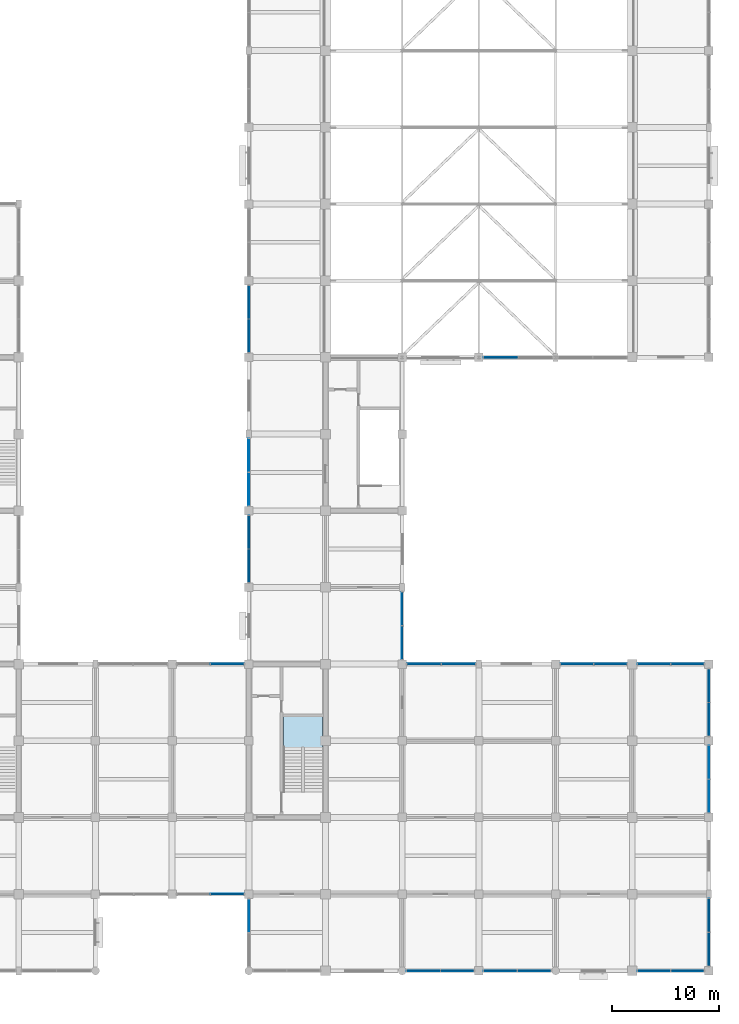
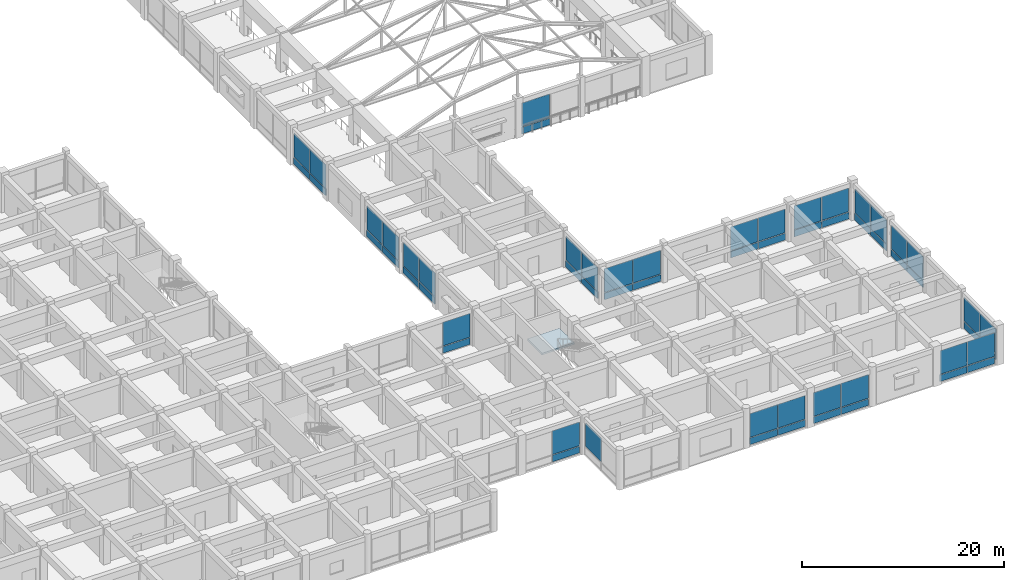
# One storey, part 51 of 75: 59 plates, 1 slab, 18 elements without a shape of their own.
"""IFC4 building model written with IfcOpenShell, lengths in metres."""

from ifc_helpers import new_model, si_unit, direction, frame, origin, origin_2d, place, context, subcontext, project, spatial, polyline, rectangle, outline, extrude, material, layer, layer_set, type_object, element, aggregate, save


model = new_model("IFC4")

# Units and contexts
model_context = context("Model", 3, precision=1e-05, world=origin(), true_north=direction((0.0, 1.0)))
body_context = subcontext(model_context, "Body", "Model", "MODEL_VIEW")
ifc_project = project(units=[si_unit("LENGTHUNIT", "METRE"), si_unit("AREAUNIT", "SQUARE_METRE"), si_unit("VOLUMEUNIT", "CUBIC_METRE"), si_unit("PLANEANGLEUNIT", "RADIAN"), si_unit("MASSUNIT", "GRAM", prefix="KILO")], contexts=[model_context])

# Site, building, storey
site_placement = place(None, origin())
site = spatial("IfcSite", under=ifc_project, at=site_placement, CompositionType="ELEMENT")
building_placement = place(site_placement, origin())
building = spatial("IfcBuilding", under=site, at=building_placement, Name="Cendaluz Park School", CompositionType="ELEMENT")
storey_placement = place(building_placement, frame((0.0, 0.0, 4.800048828125)))
storey = spatial("IfcBuildingStorey", under=building, at=storey_placement, Name="L01", CompositionType="ELEMENT", Elevation=4.800048828125)

# Curtain wall, plate
ifc_material_1 = material(Name="Anodised Aluminium 6063-T6", Category="aluminium")
ifc_layer_1 = layer(ifc_material_1, 0.179931640625)
ifc_layer_set_1 = layer_set([ifc_layer_1], Name="Anodised Aluminium 6063-T6")
curtain_wall_type_1 = type_object("IfcCurtainWallType", Name="CW-128x77", PredefinedType="NOTDEFINED", material=ifc_layer_set_1)
curtain_wall_1_placement = place(storey_placement, origin())
curtain_wall_1 = element("IfcCurtainWall", 1, at=curtain_wall_1_placement, inside=storey, type_object=curtain_wall_type_1, Name="CW-L01-059", PredefinedType="NOTDEFINED")
ifc_material_2 = material(Name="Tempered Low-E Double Glazing", Category="glass")
ifc_layer_2 = layer(ifc_material_2, 0.028076171875)
ifc_layer_set_2 = layer_set([ifc_layer_2], Name="Tempered Low-E Double Glazing")
plate_type_1 = type_object("IfcPlateType", Name="CWP-G01", PredefinedType="CURTAIN_PANEL", material=ifc_layer_set_2)
plate_1_placement = place(storey_placement, frame((129.60009765625, 5.17626953125, 0.93505859375), z_axis=(0.0, 0.0, 1.0), x_axis=(0.0, 1.0, 0.0)))
plate_1 = element("IfcPlate", 2, at=plate_1_placement, type_object=plate_type_1, Name="CP-L01-0767", PredefinedType="CURTAIN_PANEL", context=body_context, shape_type="SweptSolid", body=[
    extrude(rectangle(XDim=3.107421875, YDim=0.028076171875, at=origin_2d()), origin(), (0.0, 0.0, 1.0), 2.844970703125),
])
aggregate(curtain_wall_1, [plate_1])

# Curtain wall, plates
curtain_wall_2_placement = place(storey_placement, origin())
curtain_wall_2 = element("IfcCurtainWall", 3, at=curtain_wall_2_placement, inside=storey, type_object=curtain_wall_type_1, Name="CW-L01-060", PredefinedType="NOTDEFINED")
plate_2_placement = place(storey_placement, frame((129.60009765625, 38.017578125, 0.93505859375), z_axis=(0.0, 0.0, 1.0), x_axis=(0.0, 1.0, 0.0)))
plate_2 = element("IfcPlate", 4, at=plate_2_placement, type_object=plate_type_1, Name="CP-L01-0775", PredefinedType="CURTAIN_PANEL", context=body_context, shape_type="SweptSolid", body=[
    extrude(rectangle(XDim=3.094970703125, YDim=0.028076171875, at=origin_2d()), origin(), (0.0, 0.0, 1.0), 2.844970703125),
])
plate_3_placement = place(storey_placement, frame((129.60009765625, 41.1826171875, 0.93505859375), z_axis=(0.0, 0.0, 1.0), x_axis=(0.0, 1.0, 0.0)))
plate_3 = element("IfcPlate", 5, at=plate_3_placement, type_object=plate_type_1, Name="CP-L01-0780", PredefinedType="CURTAIN_PANEL", context=body_context, shape_type="SweptSolid", body=[
    extrude(rectangle(XDim=3.094970703125, YDim=0.028076171875, at=origin_2d()), origin(), (0.0, 0.0, 1.0), 2.844970703125),
])

curtain_wall_3_placement = place(storey_placement, origin())
curtain_wall_3 = element("IfcCurtainWall", 6, at=curtain_wall_3_placement, inside=storey, type_object=curtain_wall_type_1, Name="CW-L01-061", PredefinedType="NOTDEFINED")
plate_4_placement = place(storey_placement, frame((129.60009765625, 45.2236328125, 0.93505859375), z_axis=(0.0, 0.0, 1.0), x_axis=(0.0, 1.0, 0.0)))
plate_4 = element("IfcPlate", 7, at=plate_4_placement, type_object=plate_type_1, Name="CP-L01-0788", PredefinedType="CURTAIN_PANEL", context=body_context, shape_type="SweptSolid", body=[
    extrude(rectangle(XDim=3.107421875, YDim=0.028076171875, at=origin_2d()), origin(), (0.0, 0.0, 1.0), 2.844970703125),
])
plate_5_placement = place(storey_placement, frame((129.60009765625, 48.4013671875, 0.93505859375), z_axis=(0.0, 0.0, 1.0), x_axis=(0.0, 1.0, 0.0)))
plate_5 = element("IfcPlate", 8, at=plate_5_placement, type_object=plate_type_1, Name="CP-L01-0793", PredefinedType="CURTAIN_PANEL", context=body_context, shape_type="SweptSolid", body=[
    extrude(rectangle(XDim=3.107421875, YDim=0.028076171875, at=origin_2d()), origin(), (0.0, 0.0, 1.0), 2.844970703125),
])

curtain_wall_4_placement = place(storey_placement, origin())
curtain_wall_4 = element("IfcCurtainWall", 9, at=curtain_wall_4_placement, inside=storey, type_object=curtain_wall_type_1, Name="CW-L01-062", PredefinedType="NOTDEFINED")
plate_6_placement = place(storey_placement, frame((129.60009765625, 59.617431640625, 0.93505859375), z_axis=(0.0, 0.0, 1.0), x_axis=(0.0, 1.0, 0.0)))
plate_6 = element("IfcPlate", 10, at=plate_6_placement, type_object=plate_type_1, Name="CP-L01-0801", PredefinedType="CURTAIN_PANEL", context=body_context, shape_type="SweptSolid", body=[
    extrude(rectangle(XDim=3.094970703125, YDim=0.028076171875, at=origin_2d()), origin(), (0.0, 0.0, 1.0), 2.844970703125),
])
plate_7_placement = place(storey_placement, frame((129.60009765625, 62.782470703125, 0.93505859375), z_axis=(0.0, 0.0, 1.0), x_axis=(0.0, 1.0, 0.0)))
plate_7 = element("IfcPlate", 11, at=plate_7_placement, type_object=plate_type_1, Name="CP-L01-0806", PredefinedType="CURTAIN_PANEL", context=body_context, shape_type="SweptSolid", body=[
    extrude(rectangle(XDim=3.094970703125, YDim=0.028076171875, at=origin_2d()), origin(), (0.0, 0.0, 1.0), 2.844970703125),
])

ifc_layer_3 = layer(ifc_material_1, 0.179931640625)
ifc_layer_set_3 = layer_set([ifc_layer_3], Name="Anodised Aluminium 6063-T6")
curtain_wall_type_2 = type_object("IfcCurtainWallType", Name="CW-127x77", PredefinedType="NOTDEFINED", material=ifc_layer_set_3)
curtain_wall_5_placement = place(storey_placement, origin())
curtain_wall_5 = element("IfcCurtainWall", 12, at=curtain_wall_5_placement, inside=storey, type_object=curtain_wall_type_2, Name="CW-L01-075", PredefinedType="NOTDEFINED")
plate_8_placement = place(storey_placement, frame((160.405029296875, 28.800048828125, 0.93505859375), z_axis=(0.0, 0.0, 1.0), x_axis=(1.0, 0.0, 0.0)))
plate_8 = element("IfcPlate", 13, at=plate_8_placement, type_object=plate_type_1, Name="CP-L01-0970", PredefinedType="CURTAIN_PANEL", context=body_context, shape_type="SweptSolid", body=[
    extrude(rectangle(XDim=3.070068359375, YDim=0.028076171875, at=origin_2d()), origin(), (0.0, 0.0, 1.0), 2.844970703125),
])
plate_9_placement = place(storey_placement, frame((163.544921875, 28.800048828125, 0.93505859375), z_axis=(0.0, 0.0, 1.0), x_axis=(1.0, 0.0, 0.0)))
plate_9 = element("IfcPlate", 14, at=plate_9_placement, type_object=plate_type_1, Name="CP-L01-0975", PredefinedType="CURTAIN_PANEL", context=body_context, shape_type="SweptSolid", body=[
    extrude(rectangle(XDim=3.070068359375, YDim=0.028076171875, at=origin_2d()), origin(), (0.0, 0.0, 1.0), 2.844970703125),
])

curtain_wall_6_placement = place(storey_placement, origin())
curtain_wall_6 = element("IfcCurtainWall", 15, at=curtain_wall_6_placement, inside=storey, type_object=curtain_wall_type_2, Name="CW-L01-078", PredefinedType="NOTDEFINED")
ifc_layer_4 = layer(ifc_material_2, 0.0380859375)
ifc_layer_set_4 = layer_set([ifc_layer_4], Name="Tempered Low-E Double Glazing")
plate_type_2 = type_object("IfcPlateType", Name="CWP-G02", PredefinedType="CURTAIN_PANEL", material=ifc_layer_set_4)
plate_10_placement = place(storey_placement, frame((167.655029296875, 0.0, 0.93505859375), z_axis=(0.0, 0.0, 1.0), x_axis=(1.0, 0.0, 0.0)))
plate_10 = element("IfcPlate", 16, at=plate_10_placement, type_object=plate_type_2, Name="CP-L01-1009", PredefinedType="CURTAIN_PANEL", context=body_context, shape_type="SweptSolid", body=[
    extrude(rectangle(XDim=3.070068359375, YDim=0.0380859375, at=origin_2d()), origin(), (0.0, 0.0, 1.0), 2.844970703125),
])
plate_11_placement = place(storey_placement, frame((170.794921875, 0.0, 0.93505859375), z_axis=(0.0, 0.0, 1.0), x_axis=(1.0, 0.0, 0.0)))
plate_11 = element("IfcPlate", 17, at=plate_11_placement, type_object=plate_type_2, Name="CP-L01-1014", PredefinedType="CURTAIN_PANEL", context=body_context, shape_type="SweptSolid", body=[
    extrude(rectangle(XDim=3.070068359375, YDim=0.0380859375, at=origin_2d()), origin(), (0.0, 0.0, 1.0), 2.844970703125),
])

curtain_wall_7_placement = place(storey_placement, origin())
curtain_wall_7 = element("IfcCurtainWall", 18, at=curtain_wall_7_placement, inside=storey, type_object=curtain_wall_type_2, Name="CW-L01-081", PredefinedType="NOTDEFINED")
plate_12_placement = place(storey_placement, frame((167.655029296875, 28.800048828125, 0.93505859375), z_axis=(0.0, 0.0, 1.0), x_axis=(1.0, 0.0, 0.0)))
plate_12 = element("IfcPlate", 19, at=plate_12_placement, type_object=plate_type_2, Name="CP-L01-1048", PredefinedType="CURTAIN_PANEL", context=body_context, shape_type="SweptSolid", body=[
    extrude(rectangle(XDim=3.070068359375, YDim=0.0380859375, at=origin_2d()), origin(), (0.0, 0.0, 1.0), 2.844970703125),
])
plate_13_placement = place(storey_placement, frame((170.794921875, 28.800048828125, 0.93505859375), z_axis=(0.0, 0.0, 1.0), x_axis=(1.0, 0.0, 0.0)))
plate_13 = element("IfcPlate", 20, at=plate_13_placement, type_object=plate_type_2, Name="CP-L01-1053", PredefinedType="CURTAIN_PANEL", context=body_context, shape_type="SweptSolid", body=[
    extrude(rectangle(XDim=3.070068359375, YDim=0.0380859375, at=origin_2d()), origin(), (0.0, 0.0, 1.0), 2.844970703125),
])

curtain_wall_8_placement = place(storey_placement, origin())
curtain_wall_8 = element("IfcCurtainWall", 21, at=curtain_wall_8_placement, inside=storey, type_object=curtain_wall_type_1, Name="CW-L01-068", PredefinedType="NOTDEFINED")
ifc_layer_5 = layer(ifc_material_2, 0.048095703125)
ifc_layer_set_5 = layer_set([ifc_layer_5], Name="Tempered Low-E Double Glazing")
plate_type_3 = type_object("IfcPlateType", Name="CWP-G03", PredefinedType="CURTAIN_PANEL", material=ifc_layer_set_5)
plate_14_placement = place(storey_placement, frame((144.0, 30.82373046875, 0.93505859375), z_axis=(0.0, 0.0, 1.0), x_axis=(0.0, 1.0, 0.0)))
plate_14 = element("IfcPlate", 22, at=plate_14_placement, type_object=plate_type_3, Name="CP-L01-0879", PredefinedType="CURTAIN_PANEL", context=body_context, shape_type="SweptSolid", body=[
    extrude(rectangle(XDim=3.107421875, YDim=0.048095703125, at=origin_2d()), origin(), (0.0, 0.0, 1.0), 2.844970703125),
])
plate_15_placement = place(storey_placement, frame((144.0, 34.001220703125, 0.93505859375), z_axis=(0.0, 0.0, 1.0), x_axis=(0.0, 1.0, 0.0)))
plate_15 = element("IfcPlate", 23, at=plate_15_placement, type_object=plate_type_3, Name="CP-L01-0884", PredefinedType="CURTAIN_PANEL", context=body_context, shape_type="SweptSolid", body=[
    extrude(rectangle(XDim=3.107421875, YDim=0.048095703125, at=origin_2d()), origin(), (0.0, 0.0, 1.0), 2.844970703125),
])

curtain_wall_9_placement = place(storey_placement, origin())
curtain_wall_9 = element("IfcCurtainWall", 24, at=curtain_wall_9_placement, inside=storey, type_object=curtain_wall_type_1, Name="CW-L01-070", PredefinedType="NOTDEFINED")
plate_16_placement = place(storey_placement, frame((145.998779296875, 0.0, 0.93505859375), z_axis=(0.0, 0.0, 1.0), x_axis=(1.0, 0.0, 0.0)))
plate_16 = element("IfcPlate", 25, at=plate_16_placement, type_object=plate_type_3, Name="CP-L01-0905", PredefinedType="CURTAIN_PANEL", context=body_context, shape_type="SweptSolid", body=[
    extrude(rectangle(XDim=3.107421875, YDim=0.048095703125, at=origin_2d()), origin(), (0.0, 0.0, 1.0), 2.844970703125),
])
plate_17_placement = place(storey_placement, frame((149.17626953125, 0.0, 0.93505859375), z_axis=(0.0, 0.0, 1.0), x_axis=(1.0, 0.0, 0.0)))
plate_17 = element("IfcPlate", 26, at=plate_17_placement, type_object=plate_type_3, Name="CP-L01-0910", PredefinedType="CURTAIN_PANEL", context=body_context, shape_type="SweptSolid", body=[
    extrude(rectangle(XDim=3.107421875, YDim=0.048095703125, at=origin_2d()), origin(), (0.0, 0.0, 1.0), 2.844970703125),
])

ifc_layer_6 = layer(ifc_material_1, 0.179931640625)
ifc_layer_set_6 = layer_set([ifc_layer_6], Name="Anodised Aluminium 6063-T6")
curtain_wall_type_3 = type_object("IfcCurtainWallType", Name="CW-131x77", PredefinedType="NOTDEFINED", material=ifc_layer_set_6)
curtain_wall_10_placement = place(storey_placement, origin())
curtain_wall_10 = element("IfcCurtainWall", 27, at=curtain_wall_10_placement, inside=storey, type_object=curtain_wall_type_3, Name="CW-L01-071", PredefinedType="NOTDEFINED")
plate_18_placement = place(storey_placement, frame((146.054931640625, 28.800048828125, 0.93505859375), z_axis=(0.0, 0.0, 1.0), x_axis=(1.0, 0.0, 0.0)))
plate_18 = element("IfcPlate", 28, at=plate_18_placement, type_object=plate_type_3, Name="CP-L01-0918", PredefinedType="CURTAIN_PANEL", context=body_context, shape_type="SweptSolid", body=[
    extrude(rectangle(XDim=3.169921875, YDim=0.048095703125, at=origin_2d()), origin(), (0.0, 0.0, 1.0), 2.844970703125),
])
plate_19_placement = place(storey_placement, frame((149.294921875, 28.800048828125, 0.93505859375), z_axis=(0.0, 0.0, 1.0), x_axis=(1.0, 0.0, 0.0)))
plate_19 = element("IfcPlate", 29, at=plate_19_placement, type_object=plate_type_3, Name="CP-L01-0923", PredefinedType="CURTAIN_PANEL", context=body_context, shape_type="SweptSolid", body=[
    extrude(rectangle(XDim=3.169921875, YDim=0.048095703125, at=origin_2d()), origin(), (0.0, 0.0, 1.0), 2.844970703125),
])

curtain_wall_11_placement = place(storey_placement, origin())
curtain_wall_11 = element("IfcCurtainWall", 30, at=curtain_wall_11_placement, inside=storey, type_object=curtain_wall_type_1, Name="CW-L01-079", PredefinedType="NOTDEFINED")
plate_20_placement = place(storey_placement, frame((172.800048828125, 2.023681640625, 0.93505859375), z_axis=(0.0, 0.0, 1.0), x_axis=(0.0, 1.0, 0.0)))
plate_20 = element("IfcPlate", 31, at=plate_20_placement, type_object=plate_type_3, Name="CP-L01-1022", PredefinedType="CURTAIN_PANEL", context=body_context, shape_type="SweptSolid", body=[
    extrude(rectangle(XDim=3.107421875, YDim=0.048095703125, at=origin_2d()), origin(), (0.0, 0.0, 1.0), 2.844970703125),
])
plate_21_placement = place(storey_placement, frame((172.800048828125, 5.201171875, 0.93505859375), z_axis=(0.0, 0.0, 1.0), x_axis=(0.0, 1.0, 0.0)))
plate_21 = element("IfcPlate", 32, at=plate_21_placement, type_object=plate_type_3, Name="CP-L01-1027", PredefinedType="CURTAIN_PANEL", context=body_context, shape_type="SweptSolid", body=[
    extrude(rectangle(XDim=3.107421875, YDim=0.048095703125, at=origin_2d()), origin(), (0.0, 0.0, 1.0), 2.844970703125),
])

curtain_wall_12_placement = place(storey_placement, origin())
curtain_wall_12 = element("IfcCurtainWall", 33, at=curtain_wall_12_placement, inside=storey, type_object=curtain_wall_type_1, Name="CW-L01-080", PredefinedType="NOTDEFINED")
plate_22_placement = place(storey_placement, frame((172.800048828125, 16.41748046875, 0.93505859375), z_axis=(0.0, 0.0, 1.0), x_axis=(0.0, 1.0, 0.0)))
plate_22 = element("IfcPlate", 34, at=plate_22_placement, type_object=plate_type_3, Name="CP-L01-1035", PredefinedType="CURTAIN_PANEL", context=body_context, shape_type="SweptSolid", body=[
    extrude(rectangle(XDim=3.094970703125, YDim=0.048095703125, at=origin_2d()), origin(), (0.0, 0.0, 1.0), 2.844970703125),
])
plate_23_placement = place(storey_placement, frame((172.800048828125, 19.58251953125, 0.93505859375), z_axis=(0.0, 0.0, 1.0), x_axis=(0.0, 1.0, 0.0)))
plate_23 = element("IfcPlate", 35, at=plate_23_placement, type_object=plate_type_3, Name="CP-L01-1040", PredefinedType="CURTAIN_PANEL", context=body_context, shape_type="SweptSolid", body=[
    extrude(rectangle(XDim=3.094970703125, YDim=0.048095703125, at=origin_2d()), origin(), (0.0, 0.0, 1.0), 2.844970703125),
])

curtain_wall_13_placement = place(storey_placement, origin())
curtain_wall_13 = element("IfcCurtainWall", 36, at=curtain_wall_13_placement, inside=storey, type_object=curtain_wall_type_1, Name="CW-L01-082", PredefinedType="NOTDEFINED")
plate_24_placement = place(storey_placement, frame((172.800048828125, 23.617431640625, 0.93505859375), z_axis=(0.0, 0.0, 1.0), x_axis=(0.0, 1.0, 0.0)))
plate_24 = element("IfcPlate", 37, at=plate_24_placement, type_object=plate_type_3, Name="CP-L01-1061", PredefinedType="CURTAIN_PANEL", context=body_context, shape_type="SweptSolid", body=[
    extrude(rectangle(XDim=3.094970703125, YDim=0.048095703125, at=origin_2d()), origin(), (0.0, 0.0, 1.0), 2.844970703125),
])
plate_25_placement = place(storey_placement, frame((172.800048828125, 26.782470703125, 0.93505859375), z_axis=(0.0, 0.0, 1.0), x_axis=(0.0, 1.0, 0.0)))
plate_25 = element("IfcPlate", 38, at=plate_25_placement, type_object=plate_type_3, Name="CP-L01-1066", PredefinedType="CURTAIN_PANEL", context=body_context, shape_type="SweptSolid", body=[
    extrude(rectangle(XDim=3.094970703125, YDim=0.048095703125, at=origin_2d()), origin(), (0.0, 0.0, 1.0), 2.844970703125),
])

# Curtain wall, plate
curtain_wall_14_placement = place(storey_placement, origin())
curtain_wall_14 = element("IfcCurtainWall", 39, at=curtain_wall_14_placement, inside=storey, type_object=curtain_wall_type_1, Name="CW-L01-056", PredefinedType="NOTDEFINED")
ifc_layer_7 = layer(ifc_material_2, 0.05810546875)
ifc_layer_set_7 = layer_set([ifc_layer_7], Name="Tempered Low-E Double Glazing")
plate_type_4 = type_object("IfcPlateType", Name="CWP-G04", PredefinedType="CURTAIN_PANEL", material=ifc_layer_set_7)
plate_26_placement = place(storey_placement, frame((127.58251953125, 7.199951171875, 0.93505859375), z_axis=(0.0, 0.0, 1.0), x_axis=(1.0, 0.0, 0.0)))
plate_26 = element("IfcPlate", 40, at=plate_26_placement, type_object=plate_type_4, Name="CP-L01-0728", PredefinedType="CURTAIN_PANEL", context=body_context, shape_type="SweptSolid", body=[
    extrude(rectangle(XDim=3.094970703125, YDim=0.05810546875, at=origin_2d()), origin(), (0.0, 0.0, 1.0), 2.844970703125),
])

curtain_wall_15_placement = place(storey_placement, origin())
curtain_wall_15 = element("IfcCurtainWall", 41, at=curtain_wall_15_placement, inside=storey, type_object=curtain_wall_type_1, Name="CW-L01-057", PredefinedType="NOTDEFINED")
plate_27_placement = place(storey_placement, frame((127.58251953125, 28.800048828125, 0.93505859375), z_axis=(0.0, 0.0, 1.0), x_axis=(1.0, 0.0, 0.0)))
plate_27 = element("IfcPlate", 42, at=plate_27_placement, type_object=plate_type_4, Name="CP-L01-0741", PredefinedType="CURTAIN_PANEL", context=body_context, shape_type="SweptSolid", body=[
    extrude(rectangle(XDim=3.094970703125, YDim=0.05810546875, at=origin_2d()), origin(), (0.0, 0.0, 1.0), 2.844970703125),
])

# Curtain wall, plates
curtain_wall_16_placement = place(storey_placement, origin())
curtain_wall_16 = element("IfcCurtainWall", 43, at=curtain_wall_16_placement, inside=storey, type_object=curtain_wall_type_1, Name="CW-L01-073", PredefinedType="NOTDEFINED")
plate_28_placement = place(storey_placement, frame((153.2236328125, 0.0, 0.93505859375), z_axis=(0.0, 0.0, 1.0), x_axis=(1.0, 0.0, 0.0)))
plate_28 = element("IfcPlate", 44, at=plate_28_placement, type_object=plate_type_4, Name="CP-L01-0944", PredefinedType="CURTAIN_PANEL", context=body_context, shape_type="SweptSolid", body=[
    extrude(rectangle(XDim=3.107421875, YDim=0.05810546875, at=origin_2d()), origin(), (0.0, 0.0, 1.0), 2.844970703125),
])
plate_29_placement = place(storey_placement, frame((156.4013671875, 0.0, 0.93505859375), z_axis=(0.0, 0.0, 1.0), x_axis=(1.0, 0.0, 0.0)))
plate_29 = element("IfcPlate", 45, at=plate_29_placement, type_object=plate_type_4, Name="CP-L01-0949", PredefinedType="CURTAIN_PANEL", context=body_context, shape_type="SweptSolid", body=[
    extrude(rectangle(XDim=3.107421875, YDim=0.05810546875, at=origin_2d()), origin(), (0.0, 0.0, 1.0), 2.844970703125),
])

# Curtain wall, plate
curtain_wall_17_placement = place(storey_placement, origin())
curtain_wall_17 = element("IfcCurtainWall", 46, at=curtain_wall_17_placement, inside=storey, type_object=curtain_wall_type_3, Name="CW-L01-074", PredefinedType="NOTDEFINED")
plate_30_placement = place(storey_placement, frame((153.2548828125, 57.60009765625, 0.93505859375), z_axis=(0.0, 0.0, 1.0), x_axis=(1.0, 0.0, 0.0)))
plate_30 = element("IfcPlate", 47, at=plate_30_placement, type_object=plate_type_4, Name="CP-L01-0957", PredefinedType="CURTAIN_PANEL", context=body_context, shape_type="SweptSolid", body=[
    extrude(rectangle(XDim=3.169921875, YDim=0.05810546875, at=origin_2d()), origin(), (0.0, 0.0, 1.0), 2.844970703125),
])

# Plate
ifc_layer_8 = layer(ifc_material_1, 0.080078125)
ifc_layer_set_8 = layer_set([ifc_layer_8], Name="Anodised Aluminium 6063-T6")
plate_type_5 = type_object("IfcPlateType", Name="CWP-S01", PredefinedType="CURTAIN_PANEL", material=ifc_layer_set_8)
plate_31_placement = place(storey_placement, frame((129.60009765625, 45.2236328125, 0.070068359375), z_axis=(0.0, 0.0, 1.0), x_axis=(0.0, 1.0, 0.0)))
plate_31 = element("IfcPlate", 48, at=plate_31_placement, type_object=plate_type_5, Name="CP-L01-0787", PredefinedType="CURTAIN_PANEL", context=body_context, shape_type="SweptSolid", body=[
    extrude(rectangle(XDim=3.107421875, YDim=0.080078125, at=origin_2d()), origin(), (0.0, 0.0, 1.0), 0.794921875),
])

plate_32_placement = place(storey_placement, frame((129.60009765625, 48.4013671875, 0.070068359375), z_axis=(0.0, 0.0, 1.0), x_axis=(0.0, 1.0, 0.0)))
plate_32 = element("IfcPlate", 49, at=plate_32_placement, type_object=plate_type_5, Name="CP-L01-0792", PredefinedType="CURTAIN_PANEL", context=body_context, shape_type="SweptSolid", body=[
    extrude(rectangle(XDim=3.107421875, YDim=0.080078125, at=origin_2d()), origin(), (0.0, 0.0, 1.0), 0.794921875),
])

aggregate(curtain_wall_3, [plate_31, plate_4, plate_32, plate_5])

plate_33_placement = place(storey_placement, frame((172.800048828125, 16.41748046875, 0.070068359375), z_axis=(0.0, 0.0, 1.0), x_axis=(0.0, 1.0, 0.0)))
plate_33 = element("IfcPlate", 50, at=plate_33_placement, type_object=plate_type_5, Name="CP-L01-1034", PredefinedType="CURTAIN_PANEL", context=body_context, shape_type="SweptSolid", body=[
    extrude(rectangle(XDim=3.094970703125, YDim=0.080078125, at=origin_2d()), origin(), (0.0, 0.0, 1.0), 0.794921875),
])

plate_34_placement = place(storey_placement, frame((172.800048828125, 19.58251953125, 0.070068359375), z_axis=(0.0, 0.0, 1.0), x_axis=(0.0, 1.0, 0.0)))
plate_34 = element("IfcPlate", 51, at=plate_34_placement, type_object=plate_type_5, Name="CP-L01-1039", PredefinedType="CURTAIN_PANEL", context=body_context, shape_type="SweptSolid", body=[
    extrude(rectangle(XDim=3.094970703125, YDim=0.080078125, at=origin_2d()), origin(), (0.0, 0.0, 1.0), 0.794921875),
])

aggregate(curtain_wall_12, [plate_33, plate_22, plate_34, plate_23])

ifc_layer_9 = layer(ifc_material_1, 0.094970703125)
ifc_layer_set_9 = layer_set([ifc_layer_9], Name="Anodised Aluminium 6063-T6")
plate_type_6 = type_object("IfcPlateType", Name="CWP-S02", PredefinedType="CURTAIN_PANEL", material=ifc_layer_set_9)
plate_35_placement = place(storey_placement, frame((172.800048828125, 23.617431640625, 0.070068359375), z_axis=(0.0, 0.0, 1.0), x_axis=(0.0, 1.0, 0.0)))
plate_35 = element("IfcPlate", 52, at=plate_35_placement, type_object=plate_type_6, Name="CP-L01-1060", PredefinedType="CURTAIN_PANEL", context=body_context, shape_type="SweptSolid", body=[
    extrude(rectangle(XDim=3.094970703125, YDim=0.094970703125, at=origin_2d()), origin(), (0.0, 0.0, 1.0), 0.794921875),
])

plate_36_placement = place(storey_placement, frame((172.800048828125, 26.782470703125, 0.070068359375), z_axis=(0.0, 0.0, 1.0), x_axis=(0.0, 1.0, 0.0)))
plate_36 = element("IfcPlate", 53, at=plate_36_placement, type_object=plate_type_6, Name="CP-L01-1065", PredefinedType="CURTAIN_PANEL", context=body_context, shape_type="SweptSolid", body=[
    extrude(rectangle(XDim=3.094970703125, YDim=0.094970703125, at=origin_2d()), origin(), (0.0, 0.0, 1.0), 0.794921875),
])

aggregate(curtain_wall_13, [plate_35, plate_24, plate_36, plate_25])

ifc_layer_10 = layer(ifc_material_1, 0.110107421875)
ifc_layer_set_10 = layer_set([ifc_layer_10], Name="Anodised Aluminium 6063-T6")
plate_type_7 = type_object("IfcPlateType", Name="CWP-S03", PredefinedType="CURTAIN_PANEL", material=ifc_layer_set_10)
plate_37_placement = place(storey_placement, frame((127.58251953125, 28.800048828125, 0.070068359375), z_axis=(0.0, 0.0, 1.0), x_axis=(1.0, 0.0, 0.0)))
plate_37 = element("IfcPlate", 54, at=plate_37_placement, type_object=plate_type_7, Name="CP-L01-0740", PredefinedType="CURTAIN_PANEL", context=body_context, shape_type="SweptSolid", body=[
    extrude(rectangle(XDim=3.094970703125, YDim=0.110107421875, at=origin_2d()), origin(), (0.0, 0.0, 1.0), 0.794921875),
])

aggregate(curtain_wall_15, [plate_37, plate_27])

plate_38_placement = place(storey_placement, frame((129.60009765625, 59.617431640625, 0.070068359375), z_axis=(0.0, 0.0, 1.0), x_axis=(0.0, 1.0, 0.0)))
plate_38 = element("IfcPlate", 55, at=plate_38_placement, type_object=plate_type_7, Name="CP-L01-0800", PredefinedType="CURTAIN_PANEL", context=body_context, shape_type="SweptSolid", body=[
    extrude(rectangle(XDim=3.094970703125, YDim=0.110107421875, at=origin_2d()), origin(), (0.0, 0.0, 1.0), 0.794921875),
])

plate_39_placement = place(storey_placement, frame((129.60009765625, 62.782470703125, 0.070068359375), z_axis=(0.0, 0.0, 1.0), x_axis=(0.0, 1.0, 0.0)))
plate_39 = element("IfcPlate", 56, at=plate_39_placement, type_object=plate_type_7, Name="CP-L01-0805", PredefinedType="CURTAIN_PANEL", context=body_context, shape_type="SweptSolid", body=[
    extrude(rectangle(XDim=3.094970703125, YDim=0.110107421875, at=origin_2d()), origin(), (0.0, 0.0, 1.0), 0.794921875),
])

aggregate(curtain_wall_4, [plate_38, plate_6, plate_39, plate_7])

plate_40_placement = place(storey_placement, frame((144.0, 30.82373046875, 0.070068359375), z_axis=(0.0, 0.0, 1.0), x_axis=(0.0, 1.0, 0.0)))
plate_40 = element("IfcPlate", 57, at=plate_40_placement, type_object=plate_type_7, Name="CP-L01-0878", PredefinedType="CURTAIN_PANEL", context=body_context, shape_type="SweptSolid", body=[
    extrude(rectangle(XDim=3.107421875, YDim=0.110107421875, at=origin_2d()), origin(), (0.0, 0.0, 1.0), 0.794921875),
])

plate_41_placement = place(storey_placement, frame((144.0, 34.001220703125, 0.070068359375), z_axis=(0.0, 0.0, 1.0), x_axis=(0.0, 1.0, 0.0)))
plate_41 = element("IfcPlate", 58, at=plate_41_placement, type_object=plate_type_7, Name="CP-L01-0883", PredefinedType="CURTAIN_PANEL", context=body_context, shape_type="SweptSolid", body=[
    extrude(rectangle(XDim=3.107421875, YDim=0.110107421875, at=origin_2d()), origin(), (0.0, 0.0, 1.0), 0.794921875),
])

aggregate(curtain_wall_8, [plate_40, plate_14, plate_41, plate_15])

plate_42_placement = place(storey_placement, frame((145.998779296875, 0.0, 0.070068359375), z_axis=(0.0, 0.0, 1.0), x_axis=(1.0, 0.0, 0.0)))
plate_42 = element("IfcPlate", 59, at=plate_42_placement, type_object=plate_type_7, Name="CP-L01-0904", PredefinedType="CURTAIN_PANEL", context=body_context, shape_type="SweptSolid", body=[
    extrude(rectangle(XDim=3.107421875, YDim=0.110107421875, at=origin_2d()), origin(), (0.0, 0.0, 1.0), 0.794921875),
])

plate_43_placement = place(storey_placement, frame((149.17626953125, 0.0, 0.070068359375), z_axis=(0.0, 0.0, 1.0), x_axis=(1.0, 0.0, 0.0)))
plate_43 = element("IfcPlate", 60, at=plate_43_placement, type_object=plate_type_7, Name="CP-L01-0909", PredefinedType="CURTAIN_PANEL", context=body_context, shape_type="SweptSolid", body=[
    extrude(rectangle(XDim=3.107421875, YDim=0.110107421875, at=origin_2d()), origin(), (0.0, 0.0, 1.0), 0.794921875),
])

aggregate(curtain_wall_9, [plate_42, plate_16, plate_43, plate_17])

plate_44_placement = place(storey_placement, frame((146.054931640625, 28.800048828125, 0.070068359375), z_axis=(0.0, 0.0, 1.0), x_axis=(1.0, 0.0, 0.0)))
plate_44 = element("IfcPlate", 61, at=plate_44_placement, type_object=plate_type_7, Name="CP-L01-0917", PredefinedType="CURTAIN_PANEL", context=body_context, shape_type="SweptSolid", body=[
    extrude(rectangle(XDim=3.169921875, YDim=0.110107421875, at=origin_2d()), origin(), (0.0, 0.0, 1.0), 0.794921875),
])

plate_45_placement = place(storey_placement, frame((149.294921875, 28.800048828125, 0.070068359375), z_axis=(0.0, 0.0, 1.0), x_axis=(1.0, 0.0, 0.0)))
plate_45 = element("IfcPlate", 62, at=plate_45_placement, type_object=plate_type_7, Name="CP-L01-0922", PredefinedType="CURTAIN_PANEL", context=body_context, shape_type="SweptSolid", body=[
    extrude(rectangle(XDim=3.169921875, YDim=0.110107421875, at=origin_2d()), origin(), (0.0, 0.0, 1.0), 0.794921875),
])

aggregate(curtain_wall_10, [plate_44, plate_18, plate_45, plate_19])

plate_46_placement = place(storey_placement, frame((153.2236328125, 0.0, 0.070068359375), z_axis=(0.0, 0.0, 1.0), x_axis=(1.0, 0.0, 0.0)))
plate_46 = element("IfcPlate", 63, at=plate_46_placement, type_object=plate_type_7, Name="CP-L01-0943", PredefinedType="CURTAIN_PANEL", context=body_context, shape_type="SweptSolid", body=[
    extrude(rectangle(XDim=3.107421875, YDim=0.110107421875, at=origin_2d()), origin(), (0.0, 0.0, 1.0), 0.794921875),
])

plate_47_placement = place(storey_placement, frame((156.4013671875, 0.0, 0.070068359375), z_axis=(0.0, 0.0, 1.0), x_axis=(1.0, 0.0, 0.0)))
plate_47 = element("IfcPlate", 64, at=plate_47_placement, type_object=plate_type_7, Name="CP-L01-0948", PredefinedType="CURTAIN_PANEL", context=body_context, shape_type="SweptSolid", body=[
    extrude(rectangle(XDim=3.107421875, YDim=0.110107421875, at=origin_2d()), origin(), (0.0, 0.0, 1.0), 0.794921875),
])

aggregate(curtain_wall_16, [plate_46, plate_28, plate_47, plate_29])

plate_48_placement = place(storey_placement, frame((153.2548828125, 57.60009765625, 0.070068359375), z_axis=(0.0, 0.0, 1.0), x_axis=(1.0, 0.0, 0.0)))
plate_48 = element("IfcPlate", 65, at=plate_48_placement, type_object=plate_type_7, Name="CP-L01-0956", PredefinedType="CURTAIN_PANEL", context=body_context, shape_type="SweptSolid", body=[
    extrude(rectangle(XDim=3.169921875, YDim=0.110107421875, at=origin_2d()), origin(), (0.0, 0.0, 1.0), 0.794921875),
])

aggregate(curtain_wall_17, [plate_48, plate_30])

plate_49_placement = place(storey_placement, frame((160.405029296875, 28.800048828125, 0.070068359375), z_axis=(0.0, 0.0, 1.0), x_axis=(1.0, 0.0, 0.0)))
plate_49 = element("IfcPlate", 66, at=plate_49_placement, type_object=plate_type_7, Name="CP-L01-0969", PredefinedType="CURTAIN_PANEL", context=body_context, shape_type="SweptSolid", body=[
    extrude(rectangle(XDim=3.070068359375, YDim=0.110107421875, at=origin_2d()), origin(), (0.0, 0.0, 1.0), 0.794921875),
])

plate_50_placement = place(storey_placement, frame((163.544921875, 28.800048828125, 0.070068359375), z_axis=(0.0, 0.0, 1.0), x_axis=(1.0, 0.0, 0.0)))
plate_50 = element("IfcPlate", 67, at=plate_50_placement, type_object=plate_type_7, Name="CP-L01-0974", PredefinedType="CURTAIN_PANEL", context=body_context, shape_type="SweptSolid", body=[
    extrude(rectangle(XDim=3.070068359375, YDim=0.110107421875, at=origin_2d()), origin(), (0.0, 0.0, 1.0), 0.794921875),
])

aggregate(curtain_wall_5, [plate_49, plate_8, plate_50, plate_9])

plate_51_placement = place(storey_placement, frame((167.655029296875, 0.0, 0.070068359375), z_axis=(0.0, 0.0, 1.0), x_axis=(1.0, 0.0, 0.0)))
plate_51 = element("IfcPlate", 68, at=plate_51_placement, type_object=plate_type_7, Name="CP-L01-1008", PredefinedType="CURTAIN_PANEL", context=body_context, shape_type="SweptSolid", body=[
    extrude(rectangle(XDim=3.070068359375, YDim=0.110107421875, at=origin_2d()), origin(), (0.0, 0.0, 1.0), 0.794921875),
])

plate_52_placement = place(storey_placement, frame((170.794921875, 0.0, 0.070068359375), z_axis=(0.0, 0.0, 1.0), x_axis=(1.0, 0.0, 0.0)))
plate_52 = element("IfcPlate", 69, at=plate_52_placement, type_object=plate_type_7, Name="CP-L01-1013", PredefinedType="CURTAIN_PANEL", context=body_context, shape_type="SweptSolid", body=[
    extrude(rectangle(XDim=3.070068359375, YDim=0.110107421875, at=origin_2d()), origin(), (0.0, 0.0, 1.0), 0.794921875),
])

aggregate(curtain_wall_6, [plate_51, plate_10, plate_52, plate_11])

plate_53_placement = place(storey_placement, frame((172.800048828125, 2.023681640625, 0.070068359375), z_axis=(0.0, 0.0, 1.0), x_axis=(0.0, 1.0, 0.0)))
plate_53 = element("IfcPlate", 70, at=plate_53_placement, type_object=plate_type_7, Name="CP-L01-1021", PredefinedType="CURTAIN_PANEL", context=body_context, shape_type="SweptSolid", body=[
    extrude(rectangle(XDim=3.107421875, YDim=0.110107421875, at=origin_2d()), origin(), (0.0, 0.0, 1.0), 0.794921875),
])

plate_54_placement = place(storey_placement, frame((172.800048828125, 5.201171875, 0.070068359375), z_axis=(0.0, 0.0, 1.0), x_axis=(0.0, 1.0, 0.0)))
plate_54 = element("IfcPlate", 71, at=plate_54_placement, type_object=plate_type_7, Name="CP-L01-1026", PredefinedType="CURTAIN_PANEL", context=body_context, shape_type="SweptSolid", body=[
    extrude(rectangle(XDim=3.107421875, YDim=0.110107421875, at=origin_2d()), origin(), (0.0, 0.0, 1.0), 0.794921875),
])

aggregate(curtain_wall_11, [plate_53, plate_20, plate_54, plate_21])

plate_55_placement = place(storey_placement, frame((167.655029296875, 28.800048828125, 0.070068359375), z_axis=(0.0, 0.0, 1.0), x_axis=(1.0, 0.0, 0.0)))
plate_55 = element("IfcPlate", 72, at=plate_55_placement, type_object=plate_type_7, Name="CP-L01-1047", PredefinedType="CURTAIN_PANEL", context=body_context, shape_type="SweptSolid", body=[
    extrude(rectangle(XDim=3.070068359375, YDim=0.110107421875, at=origin_2d()), origin(), (0.0, 0.0, 1.0), 0.794921875),
])

plate_56_placement = place(storey_placement, frame((170.794921875, 28.800048828125, 0.070068359375), z_axis=(0.0, 0.0, 1.0), x_axis=(1.0, 0.0, 0.0)))
plate_56 = element("IfcPlate", 73, at=plate_56_placement, type_object=plate_type_7, Name="CP-L01-1052", PredefinedType="CURTAIN_PANEL", context=body_context, shape_type="SweptSolid", body=[
    extrude(rectangle(XDim=3.070068359375, YDim=0.110107421875, at=origin_2d()), origin(), (0.0, 0.0, 1.0), 0.794921875),
])

aggregate(curtain_wall_7, [plate_55, plate_12, plate_56, plate_13])

ifc_layer_11 = layer(ifc_material_1, 0.125)
ifc_layer_set_11 = layer_set([ifc_layer_11], Name="Anodised Aluminium 6063-T6")
plate_type_8 = type_object("IfcPlateType", Name="CWP-S04", PredefinedType="CURTAIN_PANEL", material=ifc_layer_set_11)
plate_57_placement = place(storey_placement, frame((127.58251953125, 7.199951171875, 0.070068359375), z_axis=(0.0, 0.0, 1.0), x_axis=(1.0, 0.0, 0.0)))
plate_57 = element("IfcPlate", 74, at=plate_57_placement, type_object=plate_type_8, Name="CP-L01-0727", PredefinedType="CURTAIN_PANEL", context=body_context, shape_type="SweptSolid", body=[
    extrude(rectangle(XDim=3.094970703125, YDim=0.125, at=origin_2d()), origin(), (0.0, 0.0, 1.0), 0.794921875),
])

aggregate(curtain_wall_14, [plate_57, plate_26])

plate_58_placement = place(storey_placement, frame((129.60009765625, 38.017578125, 0.070068359375), z_axis=(0.0, 0.0, 1.0), x_axis=(0.0, 1.0, 0.0)))
plate_58 = element("IfcPlate", 75, at=plate_58_placement, type_object=plate_type_8, Name="CP-L01-0774", PredefinedType="CURTAIN_PANEL", context=body_context, shape_type="SweptSolid", body=[
    extrude(rectangle(XDim=3.094970703125, YDim=0.125, at=origin_2d()), origin(), (0.0, 0.0, 1.0), 0.794921875),
])

plate_59_placement = place(storey_placement, frame((129.60009765625, 41.1826171875, 0.070068359375), z_axis=(0.0, 0.0, 1.0), x_axis=(0.0, 1.0, 0.0)))
plate_59 = element("IfcPlate", 76, at=plate_59_placement, type_object=plate_type_8, Name="CP-L01-0779", PredefinedType="CURTAIN_PANEL", context=body_context, shape_type="SweptSolid", body=[
    extrude(rectangle(XDim=3.094970703125, YDim=0.125, at=origin_2d()), origin(), (0.0, 0.0, 1.0), 0.794921875),
])

aggregate(curtain_wall_2, [plate_58, plate_2, plate_59, plate_3])

# Stair, slab
ifc_material_3 = material(Name="Concrete C40/50", Category="concrete")
stair_type = type_object("IfcStairType", Name="ST-480-180", PredefinedType="HALF_TURN_STAIR", material=ifc_material_3)
stair_placement = place(storey_placement, origin())
stair = element("IfcStair", 77, at=stair_placement, inside=storey, type_object=stair_type, Name="ST-L01-C6", PredefinedType="HALF_TURN_STAIR")
ifc_layer_12 = layer(ifc_material_3, 0.199951171875)
ifc_layer_set_12 = layer_set([ifc_layer_12], Name="Concrete C40/50")
slab_type = type_object("IfcSlabType", Name="SL-LD-200", PredefinedType="LANDING", material=ifc_layer_set_12)
slab_placement = place(storey_placement, frame((0.0, 0.0, 2.199951171875)))
slab = element("IfcSlab", 78, at=slab_placement, type_object=slab_type, Name="SL-LD-L01-C6", PredefinedType="LANDING", context=body_context, shape_type="SweptSolid", body=[
    extrude(outline(polyline([(132.830078125, 20.9599609375), (136.510009765625, 20.9599609375), (136.510009765625, 23.860107421875), (132.830078125, 23.860107421875), (132.830078125, 20.9599609375)])), origin(), (0.0, 0.0, 1.0), 0.199951171875),
])
aggregate(stair, [slab])

save(model, "model.ifc")
